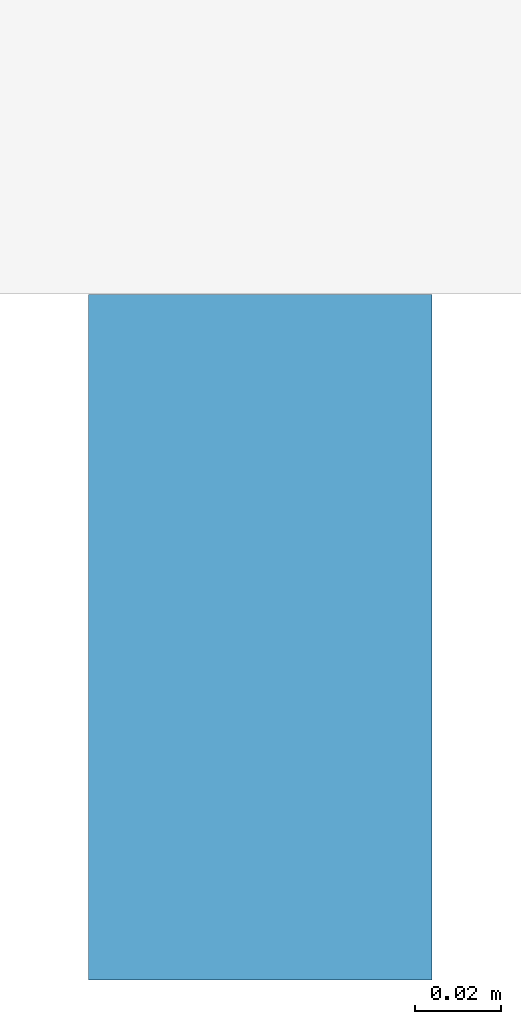
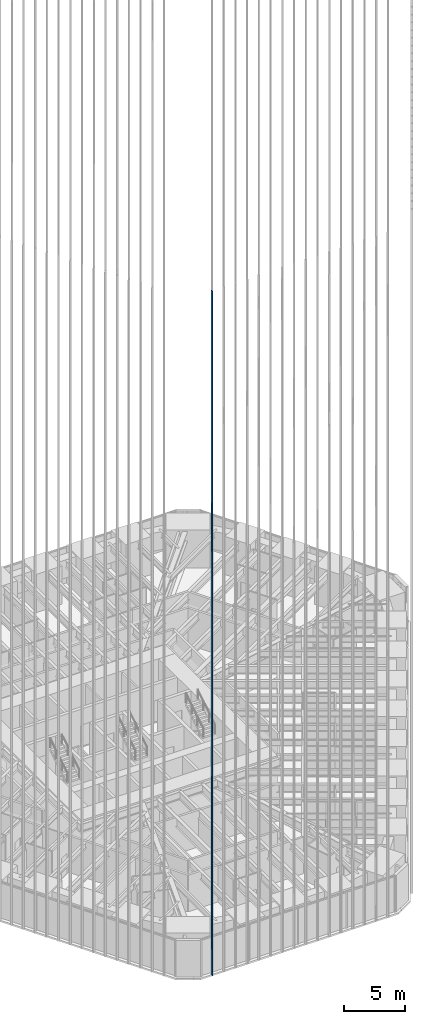
# One storey, part 20 of 256: 1 member, 1 element without a shape of its own.
"""IFC4 building model written with IfcOpenShell, lengths in metres."""

from ifc_helpers import new_model, si_unit, direction, frame, origin, origin_2d, place, context, subcontext, project, spatial, rectangle, extrude, material, material_profile, profile_set, type_object, element, aggregate, save


model = new_model("IFC4")

# Units and contexts
model_context = context("Model", 3, precision=1e-05, world=origin(), true_north=direction((0.0, 1.0)))
body_context = subcontext(model_context, "Body", "Model", "MODEL_VIEW")
ifc_project = project(units=[si_unit("LENGTHUNIT", "METRE"), si_unit("AREAUNIT", "SQUARE_METRE"), si_unit("VOLUMEUNIT", "CUBIC_METRE"), si_unit("PLANEANGLEUNIT", "RADIAN"), si_unit("MASSUNIT", "GRAM", prefix="KILO")], contexts=[model_context])

# Site, building, storey
site_placement = place(None, origin())
site = spatial("IfcSite", under=ifc_project, at=site_placement, CompositionType="ELEMENT")
building_placement = place(site_placement, origin())
building = spatial("IfcBuilding", under=site, at=building_placement, Name="Sandreach Pilgrim Tower", CompositionType="ELEMENT")
storey_placement = place(building_placement, frame((0.0, 0.0, 23.0)))
storey = spatial("IfcBuildingStorey", under=building, at=storey_placement, Name="L04", CompositionType="ELEMENT", Elevation=23.0)

# Curtain wall, member
ifc_material_1 = material(Name="Aluminium framed curtain wall", Category="aluminium")
curtain_wall_type = type_object("IfcCurtainWallType", Name="Hostel tower curtain wall", PredefinedType="NOTDEFINED", material=ifc_material_1)
curtain_wall_placement = place(storey_placement, origin())
curtain_wall = element("IfcCurtainWall", 1, at=curtain_wall_placement, inside=storey, type_object=curtain_wall_type, Name="CW-1 L04 S", PredefinedType="NOTDEFINED")
ifc_material_2 = material(Name="Extruded terracotta on aluminium core", Category="masonry")
ifc_material_profile = material_profile(ifc_material_2, rectangle(XDim=0.080078125, YDim=0.159912109375, at=origin_2d()), Name="TBS 80X160")
ifc_profile_set = profile_set([ifc_material_profile], Name="Extruded terracotta on aluminium core")
member_type = type_object("IfcMemberType", Name="Terracotta baguette south", PredefinedType="USERDEFINED", material=ifc_profile_set)
member_placement = place(storey_placement, frame((-8.28662109375, -30.390869140625, 0.0), z_axis=(0.0, 0.0, 1.0), x_axis=(-1.0, 0.0, 0.0)))
member = element("IfcMember", 2, at=member_placement, type_object=member_type, Name="Baguette Z1 S16", ObjectType="BAGUETTE", PredefinedType="USERDEFINED", context=body_context, shape_type="SweptSolid", body=[
    extrude(rectangle(XDim=0.080078125, YDim=0.159912109375, at=origin_2d()), origin(), (0.0, 0.0, 1.0), 68.239990234375),
])
aggregate(curtain_wall, [member])

save(model, "model.ifc")
